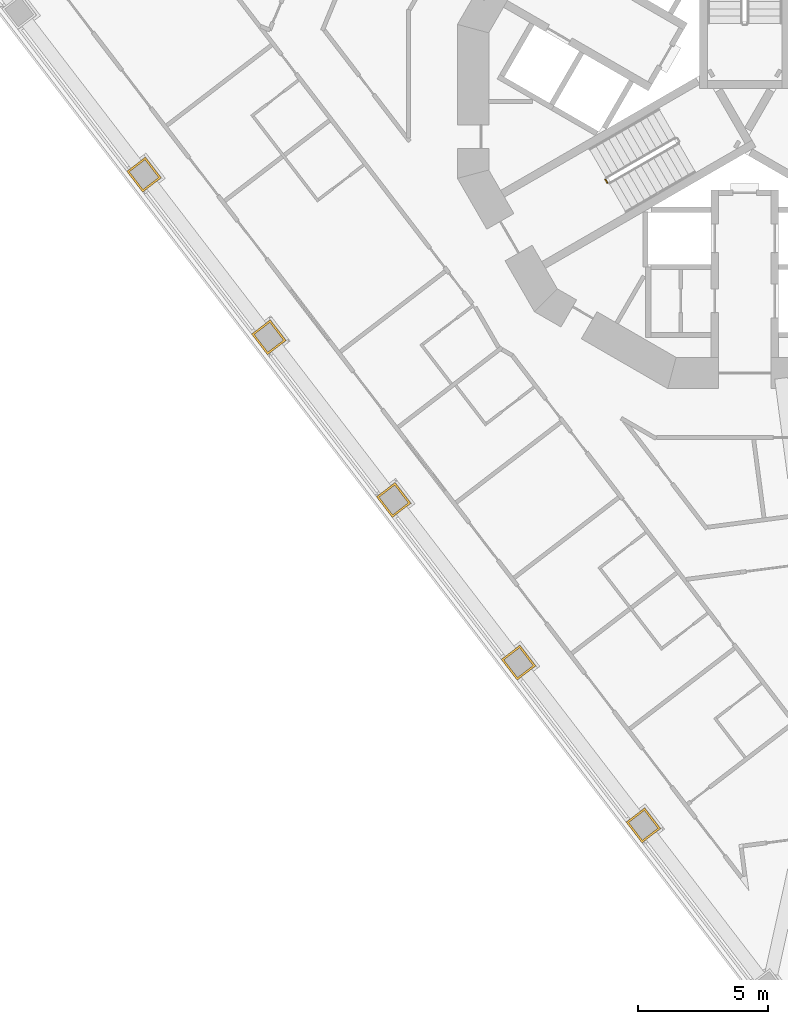
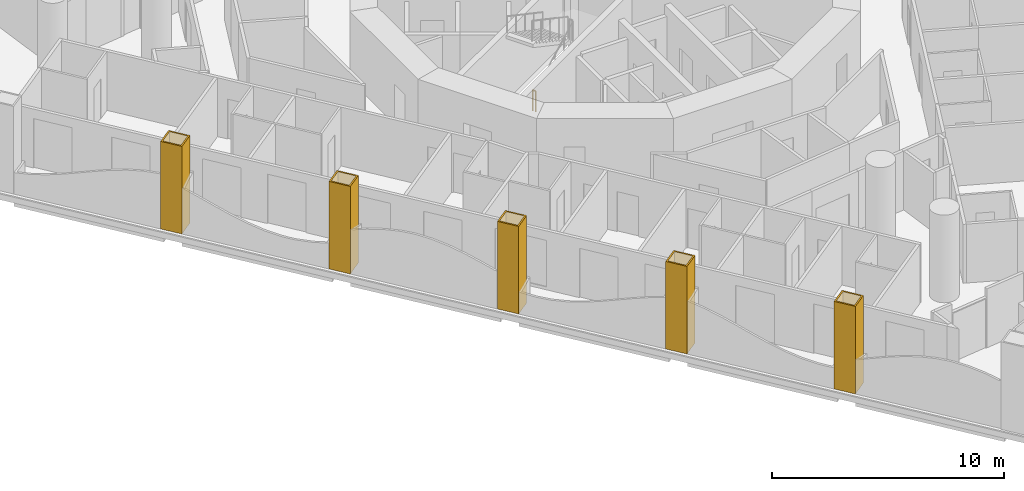
# One storey, part 12 of 19: 5 coverings, 1 railing.
"""IFC4 building model written with IfcOpenShell, lengths in metres."""

import ifcopenshell
import ifcopenshell.guid

model = None  # the IFC model being written
_history = None  # IfcOwnerHistory: only IFC2X3 demands one
_inside = {}  # id of a spatial element -> (the spatial element, [elements in it])
_under = {}  # id of a project, library or spatial element -> (it, [spatial elements below it])
_declared = {}  # id of a project -> (the project, [libraries it declares])
_typed = {}  # id of a type object -> (the type object, [elements of that type])
_made_of = {}  # id of a material, layer set ... -> (it, [elements and type objects made of it])


def new_model(schema):
    """Start an empty IFC model of exactly this schema.

    Asked for "IFC4X3", IfcOpenShell would pick the latest addendum, in which some entities
    have other attributes; the version numbers below select the first issue.
    IFC2X3 requires an IfcOwnerHistory on every rooted entity: one is made here for all.
    """
    global model, _history
    if schema == "IFC4X3":
        model = ifcopenshell.file(schema_version=(4, 3, 0, 0))
    else:
        model = ifcopenshell.file(schema=schema)
    _inside.clear()
    _under.clear()
    _declared.clear()
    _typed.clear()
    _made_of.clear()
    _history = None
    if model.schema == "IFC2X3":
        org = make("IfcOrganization", Name="unknown")
        user = make(
            "IfcPersonAndOrganization",
            ThePerson=make("IfcPerson", FamilyName="unknown"),
            TheOrganization=org,
        )
        app = make(
            "IfcApplication",
            ApplicationDeveloper=org,
            Version="unknown",
            ApplicationFullName="unknown",
            ApplicationIdentifier="unknown",
        )
        _history = make(
            "IfcOwnerHistory",
            OwningUser=user,
            OwningApplication=app,
            ChangeAction="ADDED",
            CreationDate=0,
        )
    return model


def make(cls, **values):
    """One entity of the class cls with the attributes given. An attribute that is None is left unset."""
    return model.create_entity(
        cls, **{name: value for name, value in values.items() if value is not None}
    )


def rooted(cls, **values):
    """An entity with a GlobalId (a new one), such as an element, a storey or a relation."""
    return make(cls, GlobalId=ifcopenshell.guid.new(), OwnerHistory=_history, **values)


def si_unit(unit_type, name, prefix=None):
    """IfcSIUnit, for example si_unit("LENGTHUNIT", "METRE", prefix="MILLI")."""
    return make("IfcSIUnit", UnitType=unit_type, Prefix=prefix, Name=name)


def assignment(units):
    """IfcUnitAssignment: the units of a project."""
    return None if units is None else make("IfcUnitAssignment", Units=units)


def point(xyz):
    """IfcCartesianPoint."""
    return None if xyz is None else make("IfcCartesianPoint", Coordinates=xyz)


def direction(xyz):
    """IfcDirection."""
    return None if xyz is None else make("IfcDirection", DirectionRatios=xyz)


def frame(location, z_axis=None, x_axis=None):
    """IfcAxis2Placement3D, a coordinate frame: its origin and axes. An axis left out is left unset."""
    return make(
        "IfcAxis2Placement3D",
        Location=point(location),
        Axis=direction(z_axis),
        RefDirection=direction(x_axis),
    )


def frame_2d(location, x_axis=None):
    """IfcAxis2Placement2D, a coordinate frame in the plane: its origin and x axis."""
    return make(
        "IfcAxis2Placement2D", Location=point(location), RefDirection=direction(x_axis)
    )


def origin():
    """The frame at (0, 0, 0) with its axes left unset."""
    return frame((0.0, 0.0, 0.0))


def origin_2d():
    """The frame at (0, 0) in the plane with its x axis left unset."""
    return frame_2d((0.0, 0.0))


def place(relative_to, where):
    """IfcLocalPlacement: puts the frame where relative to a parent placement (None: the world)."""
    return make(
        "IfcLocalPlacement", PlacementRelTo=relative_to, RelativePlacement=where
    )


def context(
    kind, dimensions, precision=None, world=None, true_north=None, identifier=None
):
    """IfcGeometricRepresentationContext, for example the 3D "Model" context."""
    return make(
        "IfcGeometricRepresentationContext",
        ContextIdentifier=identifier,
        ContextType=kind,
        CoordinateSpaceDimension=dimensions,
        Precision=precision,
        WorldCoordinateSystem=world,
        TrueNorth=true_north,
    )


def subcontext(parent, identifier, kind, view, scale=None):
    """IfcGeometricRepresentationSubContext, for example "Body" below "Model"."""
    return make(
        "IfcGeometricRepresentationSubContext",
        ContextIdentifier=identifier,
        ContextType=kind,
        ParentContext=parent,
        TargetScale=scale,
        TargetView=view,
    )


def project(units=None, contexts=None):
    """IfcProject with its units and contexts."""
    return rooted(
        "IfcProject",
        Name="project",
        RepresentationContexts=contexts,
        UnitsInContext=assignment(units),
    )


def spatial(cls, under=None, at=None, **own):
    """A site, building, storey or space (cls), placed at a placement, below another one or the project."""
    s = rooted(cls, ObjectPlacement=at, **own)
    if under is not None:
        _under.setdefault(under.id(), (under, []))[1].append(s)
    return s


def polyline(points):
    """IfcPolyline through the points."""
    return make("IfcPolyline", Points=[point(p) for p in points])


def profile(cls, at=None, kind="AREA", **sizes):
    """A parametric profile (cls). Its sizes go by their IFC names, for example OverallWidth=200.0."""
    return make(cls, ProfileType=kind, Position=at, **sizes)


def circle(**sizes):
    """IfcCircleProfileDef."""
    return profile("IfcCircleProfileDef", **sizes)


def outline(outer, holes=None, kind="AREA"):
    """IfcArbitraryClosedProfileDef: a profile drawn as a closed curve; with holes, ...WithVoids."""
    if holes is None:
        return make("IfcArbitraryClosedProfileDef", ProfileType=kind, OuterCurve=outer)
    return make(
        "IfcArbitraryProfileDefWithVoids",
        ProfileType=kind,
        OuterCurve=outer,
        InnerCurves=holes,
    )


def extrude(swept, where, along, depth):
    """IfcExtrudedAreaSolid: the profile swept, set in the frame where, extruded along a direction by depth."""
    return make(
        "IfcExtrudedAreaSolid",
        SweptArea=swept,
        Position=where,
        ExtrudedDirection=direction(along),
        Depth=depth,
    )


def shape(context_of_items, identifier, shape_type, items):
    """IfcShapeRepresentation: the items that make up one representation, for example the "Body"."""
    return make(
        "IfcShapeRepresentation",
        ContextOfItems=context_of_items,
        RepresentationIdentifier=identifier,
        RepresentationType=shape_type,
        Items=items,
    )


def material(Name=None, Category=None):
    """IfcMaterial."""
    return make("IfcMaterial", Name=Name, Category=Category)


def layer(
    of_material, thickness, ventilated=None, Name=None, Category=None, Priority=None
):
    """IfcMaterialLayer: one layer of a wall or slab, of a material (None: an air gap)."""
    return make(
        "IfcMaterialLayer",
        Material=of_material,
        LayerThickness=thickness,
        IsVentilated=ventilated,
        Name=Name,
        Category=Category,
        Priority=Priority,
    )


def layer_set(layers, Name=None):
    """IfcMaterialLayerSet."""
    return make("IfcMaterialLayerSet", MaterialLayers=layers, LayerSetName=Name)


def made_of(thing, what):
    """Note that an element or type object is made of a material, layer set ...; save() writes the relation."""
    if what is not None:
        _made_of.setdefault(what.id(), (what, []))[1].append(thing)
    return thing


def type_object(cls, material=None, **own):
    """A type object (cls), such as IfcWallType, which elements share."""
    return made_of(rooted(cls, **own), material)


def element(
    cls,
    number,
    at=None,
    inside=None,
    cuts=None,
    type_object=None,
    material=None,
    context=None,
    identifier="Body",
    shape_type=None,
    held_by="IfcProductDefinitionShape",
    body=None,
    shapes=None,
    **own,
):
    """One element of the class cls, such as IfcWall. Its Tag is "e" and its number.

    at: its placement. inside: the storey or other place that contains it. cuts: it is an
    opening in that element (IfcRelVoidsElement). A single representation is given by context,
    identifier, shape_type and body (its items); several are given by shapes. held_by: the class
    of the entity that holds the representations. save() writes the other relations.
    """
    e = rooted(cls, Tag="e%d" % number, ObjectPlacement=at, **own)
    if body is not None:
        shapes = [shape(context, identifier, shape_type, body)]
    if shapes is not None:
        e.Representation = make(held_by, Representations=shapes)
    if inside is not None:
        _inside.setdefault(inside.id(), (inside, []))[1].append(e)
    if cuts is not None:
        rooted(
            "IfcRelVoidsElement", RelatingBuildingElement=cuts, RelatedOpeningElement=e
        )
    if type_object is not None:
        _typed.setdefault(type_object.id(), (type_object, []))[1].append(e)
    return made_of(e, material)


def aggregate(whole, parts):
    """IfcRelAggregates: a whole, such as a stair, and the parts it consists of."""
    return rooted("IfcRelAggregates", RelatingObject=whole, RelatedObjects=parts)


def save(model, path):
    """Write the relations noted so far, then the file.

    IfcRelAggregates (storeys below a building ...), IfcRelContainedInSpatialStructure (elements
    in a storey), IfcRelDefinesByType, IfcRelAssociatesMaterial and IfcRelDeclares: one each for
    every whole, place, type object, material and project.
    """
    for whole, parts in _under.values():
        aggregate(whole, parts)
    for where, things in _inside.values():
        rooted(
            "IfcRelContainedInSpatialStructure",
            RelatedElements=things,
            RelatingStructure=where,
        )
    for kind, things in _typed.values():
        rooted("IfcRelDefinesByType", RelatedObjects=things, RelatingType=kind)
    for what, things in _made_of.values():
        rooted("IfcRelAssociatesMaterial", RelatedObjects=things, RelatingMaterial=what)
    for by, libraries in _declared.values():
        rooted("IfcRelDeclares", RelatingContext=by, RelatedDefinitions=libraries)
    model.write(path)


model = new_model("IFC4")

# Units and contexts
model_context = context("Model", 3, precision=1e-05, world=origin(), true_north=direction((0.0, 1.0)))
body_context = subcontext(model_context, "Body", "Model", "MODEL_VIEW")
ifc_project = project(units=[si_unit("LENGTHUNIT", "METRE"), si_unit("AREAUNIT", "SQUARE_METRE"), si_unit("VOLUMEUNIT", "CUBIC_METRE"), si_unit("PLANEANGLEUNIT", "RADIAN"), si_unit("MASSUNIT", "GRAM", prefix="KILO")], contexts=[model_context])

# Site, building, storey
site_placement = place(None, origin())
site = spatial("IfcSite", under=ifc_project, at=site_placement, CompositionType="ELEMENT")
building_placement = place(site_placement, origin())
building = spatial("IfcBuilding", under=site, at=building_placement, Name="Trine Commons Tower", CompositionType="ELEMENT")
storey_placement = place(building_placement, frame((0.0, 0.0, 79.199951171875)))
storey = spatial("IfcBuildingStorey", under=building, at=storey_placement, Name="L19", CompositionType="ELEMENT", Elevation=79.199951171875)

# Coverings
ifc_material_1 = material(Name="Limestone, honed", Category="masonry")
ifc_layer = layer(ifc_material_1, 0.074951171875)
ifc_layer_set = layer_set([ifc_layer], Name="Limestone, honed")
covering_type = type_object("IfcCoveringType", Name="Limestone column cladding 75", PredefinedType="CLADDING", material=ifc_layer_set)
covering_1_placement = place(storey_placement, origin())
element("IfcCovering", 1, at=covering_1_placement, inside=storey, type_object=covering_type, Name="Limestone pier cladding 2-02", PredefinedType="CLADDING", context=body_context, shape_type="SweptSolid", body=[
    extrude(outline(polyline([(76.1669921875, 35.419189453125), (75.452880859375, 34.87109375), (76.061767578125, 34.077880859375), (76.775634765625, 34.625732421875), (76.1669921875, 35.419189453125)]), holes=[polyline([(76.153076171875, 35.31396484375), (75.55810546875, 34.857421875), (76.075439453125, 34.18310546875), (76.67041015625, 34.6396484375), (76.153076171875, 35.31396484375)])]), origin(), (0.0, 0.0, 1.0), 4.609619140625),
])
covering_2_placement = place(storey_placement, origin())
element("IfcCovering", 2, at=covering_2_placement, inside=storey, type_object=covering_type, Name="Limestone pier cladding 2-03", PredefinedType="CLADDING", context=body_context, shape_type="SweptSolid", body=[
    extrude(outline(polyline([(71.381591796875, 41.6552734375), (70.667724609375, 41.107421875), (71.276611328125, 40.314208984375), (71.990478515625, 40.862060546875), (71.381591796875, 41.6552734375)]), holes=[polyline([(71.367919921875, 41.55029296875), (70.77294921875, 41.093505859375), (71.290283203125, 40.419189453125), (71.88525390625, 40.875732421875), (71.367919921875, 41.55029296875)])]), origin(), (0.0, 0.0, 1.0), 4.609619140625),
])
covering_3_placement = place(storey_placement, origin())
element("IfcCovering", 3, at=covering_3_placement, inside=storey, type_object=covering_type, Name="Limestone pier cladding 2-04", PredefinedType="CLADDING", context=body_context, shape_type="SweptSolid", body=[
    extrude(outline(polyline([(66.5966796875, 47.891357421875), (65.882568359375, 47.343505859375), (66.491455078125, 46.55029296875), (67.205322265625, 47.09814453125), (66.5966796875, 47.891357421875)]), holes=[polyline([(66.582763671875, 47.786376953125), (65.98779296875, 47.32958984375), (66.505126953125, 46.6552734375), (67.10009765625, 47.11181640625), (66.582763671875, 47.786376953125)])]), origin(), (0.0, 0.0, 1.0), 4.609619140625),
])
covering_4_placement = place(storey_placement, origin())
element("IfcCovering", 4, at=covering_4_placement, inside=storey, type_object=covering_type, Name="Limestone pier cladding 2-05", PredefinedType="CLADDING", context=body_context, shape_type="SweptSolid", body=[
    extrude(outline(polyline([(61.811279296875, 54.127685546875), (61.097412109375, 53.57958984375), (61.706298828125, 52.786376953125), (62.420166015625, 53.334228515625), (61.811279296875, 54.127685546875)]), holes=[polyline([(61.797607421875, 54.0224609375), (61.20263671875, 53.56591796875), (61.719970703125, 52.8916015625), (62.31494140625, 53.34814453125), (61.797607421875, 54.0224609375)])]), origin(), (0.0, 0.0, 1.0), 4.609619140625),
])
covering_5_placement = place(storey_placement, origin())
element("IfcCovering", 5, at=covering_5_placement, inside=storey, type_object=covering_type, Name="Limestone pier cladding 2-06", PredefinedType="CLADDING", context=body_context, shape_type="SweptSolid", body=[
    extrude(outline(polyline([(57.026123046875, 60.36376953125), (56.312255859375, 59.81591796875), (56.9208984375, 59.022705078125), (57.635009765625, 59.570556640625), (57.026123046875, 60.36376953125)]), holes=[polyline([(57.012451171875, 60.2587890625), (56.41748046875, 59.802001953125), (56.934814453125, 59.127685546875), (57.52978515625, 59.584228515625), (57.012451171875, 60.2587890625)])]), origin(), (0.0, 0.0, 1.0), 4.609619140625),
])

# Railing
ifc_material_2 = material(Name="Stainless steel balustrade", Category="steel")
railing_type = type_object("IfcRailingType", Name="Stair guard, steel balustrade 1100", PredefinedType="GUARDRAIL", material=ifc_material_2)
railing_placement = place(storey_placement, frame((74.73681640625, 59.374755859375, 0.0)))
element("IfcRailing", 6, at=railing_placement, inside=storey, type_object=railing_type, Name="L19 ST2A stair guard 4", PredefinedType="GUARDRAIL", context=body_context, shape_type="SweptSolid", body=[
    extrude(circle(Radius=0.02392578125, at=origin_2d()), frame((0.0, 0.0, 1.076171875), z_axis=(-0.499816412211, 0.866131372301, 0.0), x_axis=(-0.866131372301, -0.499816412211, 0.0)), (0.0, 0.0, 1.0), 0.14990234375),
    extrude(circle(Radius=0.02099609375, at=origin_2d()), origin(), (0.0, 0.0, 1.0), 1.052001953125),
    extrude(circle(Radius=0.02099609375, at=origin_2d()), frame((-0.074951171875, 0.1298828125, 0.0)), (0.0, 0.0, 1.0), 1.052001953125),
])

save(model, "model.ifc")
